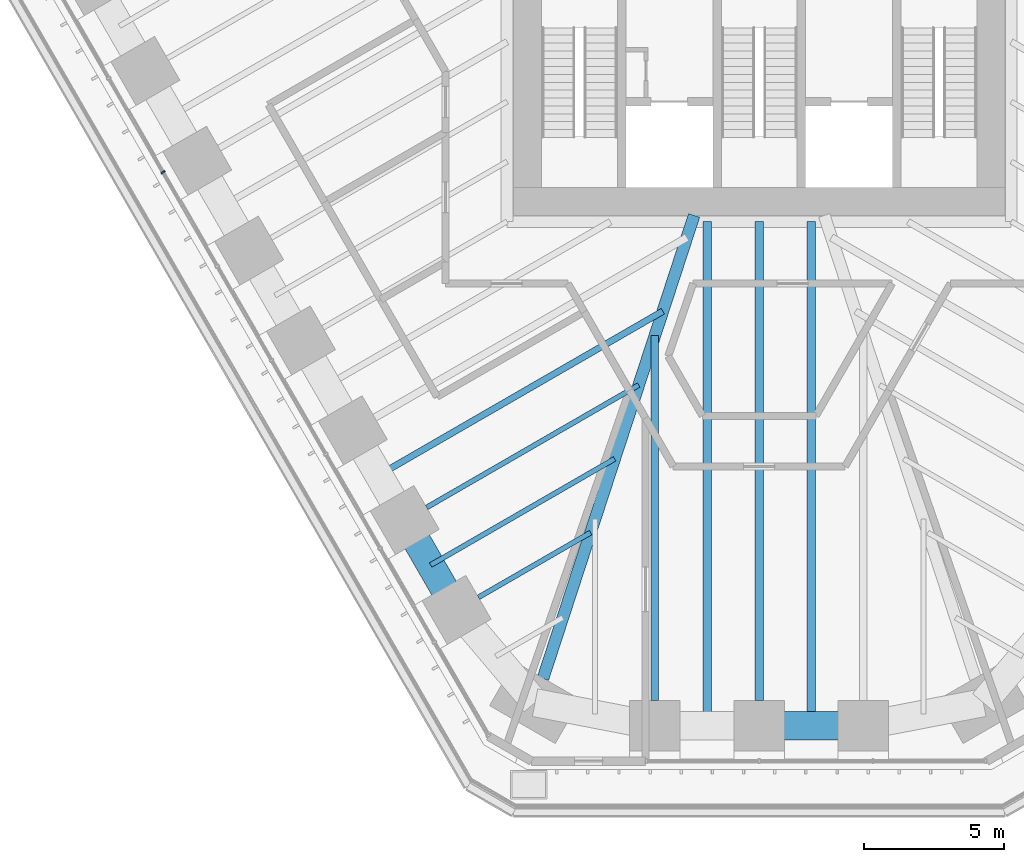
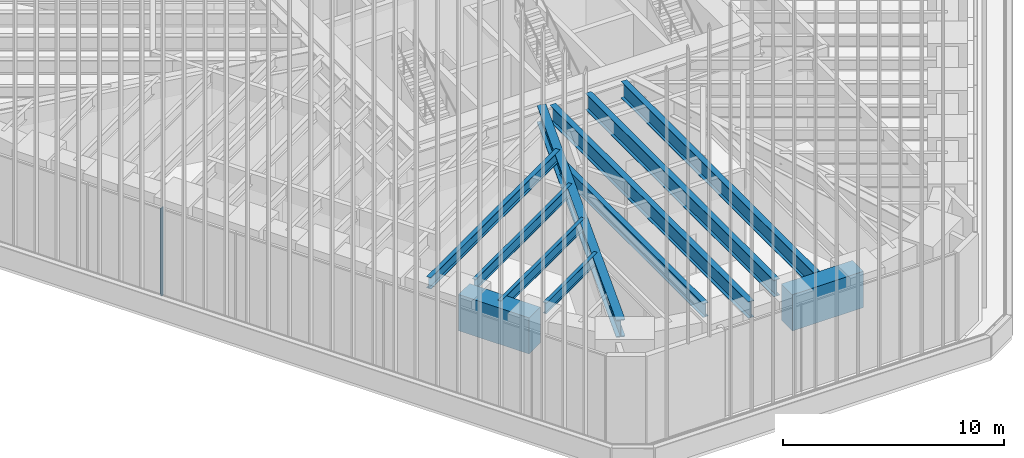
# One storey, part 41 of 228: 11 beams, 1 member, 1 element without a shape of its own.
"""IFC4 building model written with IfcOpenShell, lengths in metres."""

from ifc_helpers import new_model, si_unit, direction, frame, origin, origin_2d, place, context, subcontext, project, spatial, rectangle, i_section, extrude, material, material_profile, profile_set, type_object, element, aggregate, save


model = new_model("IFC4")

# Units and contexts
model_context = context("Model", 3, precision=1e-05, world=origin(), true_north=direction((0.0, 1.0)))
body_context = subcontext(model_context, "Body", "Model", "MODEL_VIEW")
ifc_project = project(units=[si_unit("LENGTHUNIT", "METRE"), si_unit("AREAUNIT", "SQUARE_METRE"), si_unit("VOLUMEUNIT", "CUBIC_METRE"), si_unit("PLANEANGLEUNIT", "RADIAN"), si_unit("MASSUNIT", "GRAM", prefix="KILO")], contexts=[model_context])

# Site, building, storey
site_placement = place(None, origin())
site = spatial("IfcSite", under=ifc_project, at=site_placement, CompositionType="ELEMENT")
building_placement = place(site_placement, origin())
building = spatial("IfcBuilding", under=site, at=building_placement, Name="Sandreach Pilgrim Tower", CompositionType="ELEMENT")
storey_placement = place(building_placement, frame((0.0, 0.0, 178.199951171875)))
storey = spatial("IfcBuildingStorey", under=building, at=storey_placement, Name="L44", CompositionType="ELEMENT", Elevation=178.199951171875)

# Curtain wall, member
ifc_material_1 = material(Name="Aluminium framed curtain wall", Category="aluminium")
curtain_wall_type = type_object("IfcCurtainWallType", Name="Upper hotel tower curtain wall", PredefinedType="NOTDEFINED", material=ifc_material_1)
curtain_wall_placement = place(storey_placement, origin())
curtain_wall = element("IfcCurtainWall", 1, at=curtain_wall_placement, inside=storey, type_object=curtain_wall_type, Name="CW-3 L44 SW", PredefinedType="NOTDEFINED")
ifc_material_2 = material(Name="Aluminium extrusion", Category="aluminium")
ifc_material_profile_1 = material_profile(ifc_material_2, rectangle(XDim=0.06494140625, YDim=0.159912109375, at=origin_2d()), Name="CW-3M 65X160")
ifc_profile_set_1 = profile_set([ifc_material_profile_1], Name="Aluminium extrusion")
member_type = type_object("IfcMemberType", Name="CW-3 mullion", PredefinedType="MULLION", material=ifc_profile_set_1)
member_placement = place(storey_placement, frame((-21.223388671875, -5.56005859375, 0.0), z_axis=(0.0, 0.0, 1.0), x_axis=(-0.5, 0.866025403784, 0.0)))
member = element("IfcMember", 2, at=member_placement, type_object=member_type, Name="CW-3 mullion 7", PredefinedType="MULLION", context=body_context, shape_type="SweptSolid", body=[
    extrude(rectangle(XDim=0.06494140625, YDim=0.159912109375, at=origin_2d()), origin(), (0.0, 0.0, 1.0), 4.840087890625),
])
aggregate(curtain_wall, [member])

# Beams
ifc_material_3 = material(Name="Steel ASTM A992 Grade 50", Category="steel")
ifc_material_profile_2 = material_profile(ifc_material_3, i_section(OverallWidth=0.421630859375, OverallDepth=0.95751953125, WebThickness=0.02587890625, FlangeThickness=0.046875, at=origin_2d()), Name="W36X330")
ifc_profile_set_2 = profile_set([ifc_material_profile_2], Name="Steel ASTM A992 Grade 50")
beam_type_1 = type_object("IfcBeamType", Name="Corner girder W36X330", PredefinedType="BEAM", material=ifc_profile_set_2)
beam_1_placement = place(storey_placement, frame((-7.69921875, -23.58642578125, 4.361328125), z_axis=(0.310313250761, 0.950634359995, 0.0), x_axis=(-0.950634359995, 0.310313250761, 0.0)))
element("IfcBeam", 3, at=beam_1_placement, inside=storey, type_object=beam_type_1, Name="BM L44 CG26", PredefinedType="BEAM", context=body_context, shape_type="SweptSolid", body=[
    extrude(i_section(OverallWidth=0.421630859375, OverallDepth=0.95751953125, WebThickness=0.02587890625, FlangeThickness=0.046875, at=origin_2d()), origin(), (0.0, 0.0, 1.0), 17.342529296875),
])
ifc_material_4 = material(Name="Steel ASTM A992 Grade 50", Category="steel")
ifc_material_profile_3 = material_profile(ifc_material_4, i_section(OverallWidth=0.1787109375, OverallDepth=0.60205078125, WebThickness=0.010986328125, FlangeThickness=0.014892578125, at=origin_2d()), Name="W24X62")
ifc_profile_set_3 = profile_set([ifc_material_profile_3], Name="Steel ASTM A992 Grade 50")
beam_type_2 = type_object("IfcBeamType", Name="Floor beam W24X62", PredefinedType="BEAM", material=ifc_profile_set_3)
beam_2_placement = place(storey_placement, frame((-9.99267578125, -20.6923828125, 4.5390625), z_axis=(0.866030286288, 0.49999154316, 0.0), x_axis=(-0.49999154316, 0.866030286288, 0.0)))
element("IfcBeam", 4, at=beam_2_placement, inside=storey, type_object=beam_type_2, Name="BM L44 F27", PredefinedType="BEAM", context=body_context, shape_type="SweptSolid", body=[
    extrude(i_section(OverallWidth=0.1787109375, OverallDepth=0.60205078125, WebThickness=0.010986328125, FlangeThickness=0.014892578125, at=origin_2d()), origin(), (0.0, 0.0, 1.0), 4.607421875),
])
beam_3_placement = place(storey_placement, frame((-11.8388671875, -17.49462890625, 4.5390625), z_axis=(0.866018660621, 0.50001167932, 0.0), x_axis=(-0.50001167932, 0.866018660621, 0.0)))
element("IfcBeam", 5, at=beam_3_placement, inside=storey, type_object=beam_type_2, Name="BM L44 F28", PredefinedType="BEAM", context=body_context, shape_type="SweptSolid", body=[
    extrude(i_section(OverallWidth=0.1787109375, OverallDepth=0.60205078125, WebThickness=0.010986328125, FlangeThickness=0.014892578125, at=origin_2d()), origin(), (0.0, 0.0, 1.0), 8.719482421875),
])
beam_4_placement = place(storey_placement, frame((-11.6953125, -19.54345703125, 4.5390625), z_axis=(0.866029704776, 0.49999255039, 0.0), x_axis=(-0.49999255039, 0.866029704776, 0.0)))
element("IfcBeam", 6, at=beam_4_placement, inside=storey, type_object=beam_type_2, Name="BM L44 FM27", PredefinedType="BEAM", context=body_context, shape_type="SweptSolid", body=[
    extrude(i_section(OverallWidth=0.1787109375, OverallDepth=0.60205078125, WebThickness=0.010986328125, FlangeThickness=0.014892578125, at=origin_2d()), origin(), (0.0, 0.0, 1.0), 7.5634765625),
])
ifc_material_5 = material(Name="Steel ASTM A992 Grade 50", Category="steel")
ifc_material_profile_4 = material_profile(ifc_material_5, i_section(OverallWidth=0.23046875, OverallDepth=0.6171875, WebThickness=0.01318359375, FlangeThickness=0.022216796875, at=origin_2d()), Name="W24X94")
ifc_profile_set_4 = profile_set([ifc_material_profile_4], Name="Steel ASTM A992 Grade 50")
beam_type_3 = type_object("IfcBeamType", Name="Floor beam W24X94", PredefinedType="BEAM", material=ifc_profile_set_4)
beam_5_placement = place(storey_placement, frame((-13.54150390625, -16.345703125, 4.531494140625), z_axis=(0.866026454974, 0.499998179282, 0.0), x_axis=(-0.499998179282, 0.866026454974, 0.0)))
element("IfcBeam", 7, at=beam_5_placement, inside=storey, type_object=beam_type_3, Name="BM L44 FM28", PredefinedType="BEAM", context=body_context, shape_type="SweptSolid", body=[
    extrude(i_section(OverallWidth=0.23046875, OverallDepth=0.6171875, WebThickness=0.01318359375, FlangeThickness=0.022216796875, at=origin_2d()), origin(), (0.0, 0.0, 1.0), 11.67578125),
])
ifc_material_6 = material(Name="Steel ASTM A992 Grade 50", Category="steel")
ifc_material_profile_5 = material_profile(ifc_material_6, i_section(OverallWidth=0.2666015625, OverallDepth=0.761962890625, WebThickness=0.014404296875, FlangeThickness=0.021484375, at=origin_2d()), Name="W30X116")
ifc_profile_set_5 = profile_set([ifc_material_profile_5], Name="Steel ASTM A992 Grade 50")
beam_type_4 = type_object("IfcBeamType", Name="Floor beam W30X116", PredefinedType="BEAM", material=ifc_profile_set_5)
beam_6_placement = place(storey_placement, frame((-3.71044921875, -24.365234375, 4.458984375), z_axis=(0.0, 1.0, 0.0), x_axis=(-1.0, 0.0, 0.0)))
element("IfcBeam", 8, at=beam_6_placement, inside=storey, type_object=beam_type_4, Name="BM L44 F25", PredefinedType="BEAM", context=body_context, shape_type="SweptSolid", body=[
    extrude(i_section(OverallWidth=0.2666015625, OverallDepth=0.761962890625, WebThickness=0.014404296875, FlangeThickness=0.021484375, at=origin_2d()), origin(), (0.0, 0.0, 1.0), 12.99853515625),
])
ifc_material_7 = material(Name="Steel ASTM A992 Grade 50", Category="steel")
ifc_material_profile_6 = material_profile(ifc_material_7, i_section(OverallWidth=0.3046875, OverallDepth=0.914306640625, WebThickness=0.0166015625, FlangeThickness=0.02587890625, at=origin_2d()), Name="W36X160")
ifc_profile_set_6 = profile_set([ifc_material_profile_6], Name="Steel ASTM A992 Grade 50")
beam_type_5 = type_object("IfcBeamType", Name="Floor beam W36X160", PredefinedType="BEAM", material=ifc_profile_set_6)
beam_7_placement = place(storey_placement, frame((0.0, -24.365234375, 4.3828125), z_axis=(0.0, 1.0, 0.0), x_axis=(-1.0, 0.0, 0.0)))
element("IfcBeam", 9, at=beam_7_placement, inside=storey, type_object=beam_type_5, Name="BM L44 F24", PredefinedType="BEAM", context=body_context, shape_type="SweptSolid", body=[
    extrude(i_section(OverallWidth=0.3046875, OverallDepth=0.914306640625, WebThickness=0.0166015625, FlangeThickness=0.02587890625, at=origin_2d()), origin(), (0.0, 0.0, 1.0), 17.043212890625),
])
for number, where, z_axis, x_axis, name in (
    (10, (1.855224609375, -25.26513671875, 4.3828125), (0.0, 1.0, 0.0), (-1.0, 0.0, 0.0), "BM L44 FM23"),
    (11, (-1.855224609375, -25.26513671875, 4.3828125), (0.0, 1.0, 0.0), (-1.0, 0.0, 0.0), "BM L44 FM24"),
):
    element("IfcBeam", number, at=place(storey_placement, frame(where, z_axis=z_axis, x_axis=x_axis)), inside=storey, type_object=beam_type_5, Name=name, PredefinedType="BEAM", context=body_context, shape_type="SweptSolid", body=[
        extrude(i_section(OverallWidth=0.3046875, OverallDepth=0.914306640625, WebThickness=0.0166015625, FlangeThickness=0.02587890625, at=origin_2d()), origin(), (0.0, 0.0, 1.0), 17.943115234375),
    ])
ifc_material_8 = material(Name="Concrete 10000 psi", Category="concrete")
ifc_material_profile_7 = material_profile(ifc_material_8, rectangle(XDim=1.0, YDim=2.0, at=origin_2d()), Name="RC1000X2000")
ifc_profile_set_7 = profile_set([ifc_material_profile_7], Name="Concrete 10000 psi")
beam_type_6 = type_object("IfcBeamType", Name="Spandrel beam RC1000X2000", PredefinedType="SPANDREL", material=ifc_profile_set_7)
beam_8_placement = place(storey_placement, frame((3.71044921875, -25.26513671875, 3.840087890625), z_axis=(-1.0, 0.0, 0.0), x_axis=(0.0, -1.0, 0.0)))
element("IfcBeam", 12, at=beam_8_placement, inside=storey, type_object=beam_type_6, Name="BM L44 SP23", PredefinedType="SPANDREL", context=body_context, shape_type="SweptSolid", body=[
    extrude(rectangle(XDim=1.0, YDim=2.0, at=origin_2d()), origin(), (0.0, 0.0, 1.0), 3.71044921875),
])
beam_9_placement = place(storey_placement, frame((-10.772216796875, -21.142333984375, 3.840087890625), z_axis=(-0.499993363642, 0.866029235253, 0.0), x_axis=(-0.866029235253, -0.499993363642, 0.0)))
element("IfcBeam", 13, at=beam_9_placement, inside=storey, type_object=beam_type_6, Name="BM L44 SP27", PredefinedType="SPANDREL", context=body_context, shape_type="SweptSolid", body=[
    extrude(rectangle(XDim=1.0, YDim=2.0, at=origin_2d()), origin(), (0.0, 0.0, 1.0), 3.6923828125),
])

save(model, "model.ifc")
